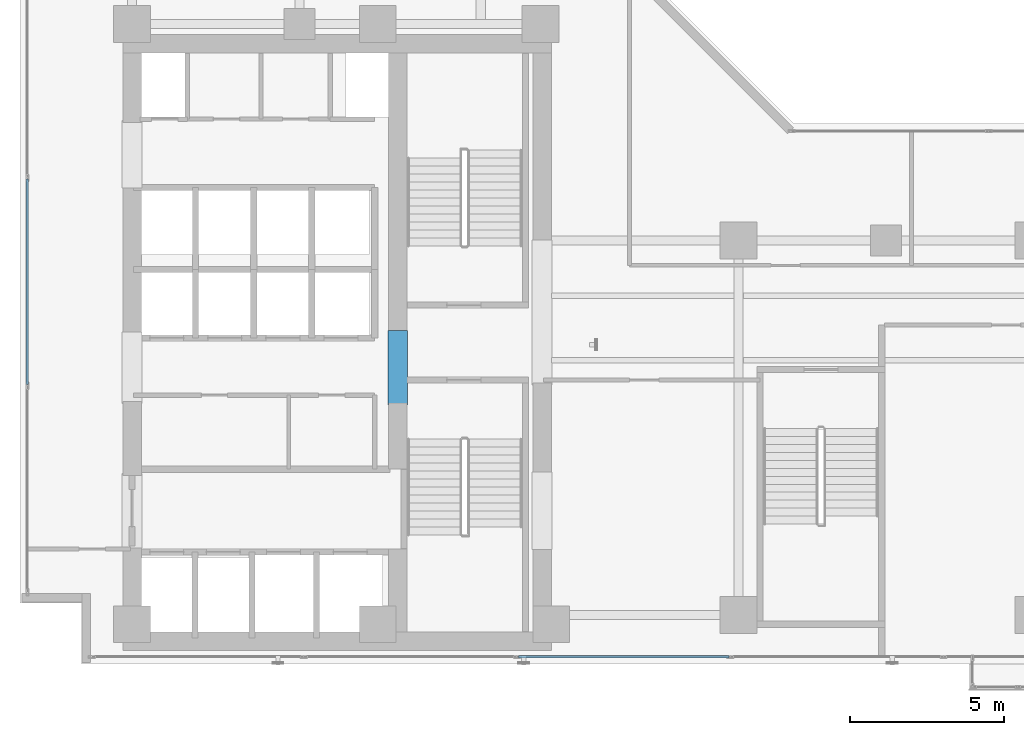
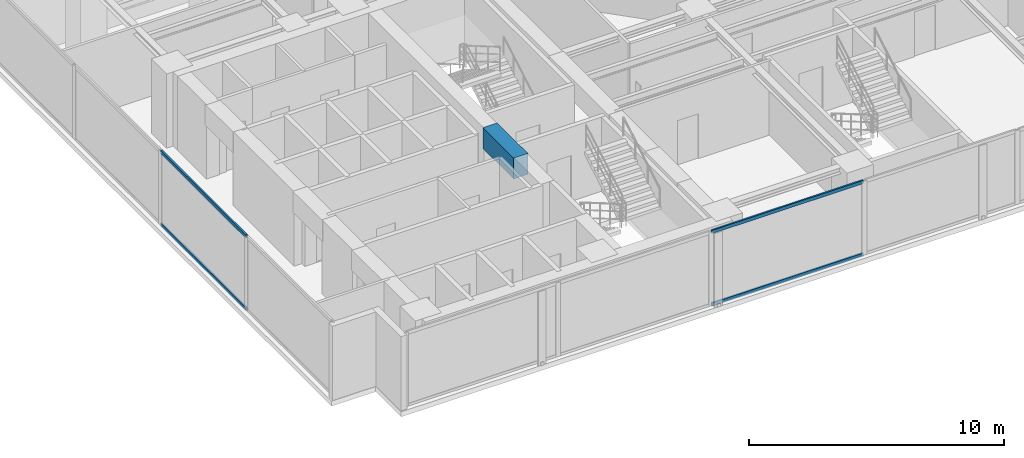
# One storey, part 3 of 27: 4 members, 1 beam, 2 elements without a shape of their own.
"""IFC4 building model written with IfcOpenShell, lengths in metres."""

from ifc_helpers import new_model, si_unit, direction, frame, origin, origin_with_axes, origin_2d, place, context, subcontext, project, spatial, rectangle, hollow_rectangle, extrude, source, transform, mapped, material, layer, layer_set, material_profile, profile_set, type_object, element, aggregate, save


model = new_model("IFC4")

# Units and contexts
model_context = context("Model", 3, precision=1e-05, world=origin(), true_north=direction((0.0, 1.0)))
body_context = subcontext(model_context, "Body", "Model", "MODEL_VIEW")
ifc_project = project(units=[si_unit("LENGTHUNIT", "METRE"), si_unit("AREAUNIT", "SQUARE_METRE"), si_unit("VOLUMEUNIT", "CUBIC_METRE"), si_unit("PLANEANGLEUNIT", "RADIAN"), si_unit("MASSUNIT", "GRAM", prefix="KILO")], contexts=[model_context])

# Site, building, storey
site_placement = place(None, origin())
site = spatial("IfcSite", under=ifc_project, at=site_placement, CompositionType="ELEMENT")
building_placement = place(site_placement, origin())
building = spatial("IfcBuilding", under=site, at=building_placement, Name="Kolvaren Waterfront Exchange", CompositionType="ELEMENT")
storey_placement = place(building_placement, frame((0.0, 0.0, 191.800048828125)))
storey = spatial("IfcBuildingStorey", under=building, at=storey_placement, Name="L49", CompositionType="ELEMENT", Elevation=191.800048828125)

# Beam
ifc_material_1 = material(Name="Concrete C60/75", Category="concrete")
ifc_material_profile_1 = material_profile(ifc_material_1, rectangle(XDim=0.64990234375, YDim=1.0, at=origin_2d()), Name="RC-CB-1000x650")
ifc_profile_set_1 = profile_set([ifc_material_profile_1], Name="Concrete C60/75")
beam_type = type_object("IfcBeamType", Name="STR-CB-1000", PredefinedType="SPANDREL", material=ifc_profile_set_1)
beam_placement = place(storey_placement, frame((16.10009765625, 12.0400390625, 3.06005859375), z_axis=(0.0, 1.0, 0.0), x_axis=(-1.0, 0.0, 0.0)))
element("IfcBeam", 1, at=beam_placement, inside=storey, type_object=beam_type, Name="L49 core coupling beam 6", PredefinedType="SPANDREL", context=body_context, shape_type="SweptSolid", body=[
    extrude(rectangle(XDim=0.64990234375, YDim=1.0, at=origin_2d()), origin(), (0.0, 0.0, 1.0), 2.419921875),
])

# Curtain wall, members
ifc_material_2 = material(Name="Anodised bronze aluminium 6063-T6", Category="aluminium")
ifc_layer_1 = layer(ifc_material_2, 0.219970703125, Name="Anodised bronze aluminium 6063-T6")
ifc_layer_set_1 = layer_set([ifc_layer_1], Name="Anodised bronze aluminium 6063-T6")
curtain_wall_type_1 = type_object("IfcCurtainWallType", Name="ARC-CW-SYS1", PredefinedType="USERDEFINED", material=ifc_layer_set_1)
curtain_wall_1_placement = place(storey_placement, origin())
curtain_wall_1 = element("IfcCurtainWall", 2, at=curtain_wall_1_placement, inside=storey, type_object=curtain_wall_type_1, Name="L49 stick curtain wall CW1 (CW-L49-S)", ObjectType="STICK CURTAIN WALL", PredefinedType="USERDEFINED")
ifc_material_3 = material(Name="Anodised aluminium 6063-T6", Category="aluminium")
ifc_material_profile_2 = material_profile(ifc_material_3, hollow_rectangle(XDim=0.074951171875, YDim=0.159912109375, WallThickness=0.00439453125, at=origin_2d()), Name="ALU-TRN-160x75x4.5")
ifc_profile_set_2 = profile_set([ifc_material_profile_2], Name="Anodised aluminium 6063-T6")
member_type = type_object("IfcMemberType", Name="ARC-CWT-160", PredefinedType="USERDEFINED", material=ifc_profile_set_2)
shared_shape_1 = source(origin_with_axes(), body_context, "Body", "SweptSolid", [
    extrude(hollow_rectangle(XDim=0.074951171875, YDim=0.159912109375, WallThickness=0.00439453125, at=origin_2d()), origin(), (0.0, 0.0, 1.0), 6.863037109375),
])
member_1_placement = place(storey_placement, frame((20.025634765625, 3.840087890625, 0.037353515625), z_axis=(1.0, 0.0, 0.0), x_axis=(0.0, 1.0, 0.0)))
member_1 = element("IfcMember", 3, at=member_1_placement, type_object=member_type, Name="CW1 transom 3.1", ObjectType="TRANSOM", PredefinedType="USERDEFINED", context=body_context, shape_type="MappedRepresentation", body=[
    mapped(shared_shape_1, transform((0.0, 0.0, 0.0), x_axis=(1.0, 0.0, 0.0), y_axis=(0.0, 1.0, 0.0), z_axis=(0.0, 0.0, 1.0), scale=1.0)),
])
member_2_placement = place(storey_placement, frame((20.025634765625, 3.840087890625, 3.5224609375), z_axis=(1.0, 0.0, 0.0), x_axis=(0.0, 1.0, 0.0)))
member_2 = element("IfcMember", 4, at=member_2_placement, type_object=member_type, Name="CW1 transom 3.2", ObjectType="TRANSOM", PredefinedType="USERDEFINED", context=body_context, shape_type="MappedRepresentation", body=[
    mapped(shared_shape_1, transform((0.0, 0.0, 0.0), x_axis=(1.0, 0.0, 0.0), y_axis=(0.0, 1.0, 0.0), z_axis=(0.0, 0.0, 1.0), scale=1.0)),
])
aggregate(curtain_wall_1, [member_1, member_2])

ifc_layer_2 = layer(ifc_material_3, 0.219970703125, Name="Anodised aluminium 6063-T6")
ifc_layer_set_2 = layer_set([ifc_layer_2], Name="Anodised aluminium 6063-T6")
curtain_wall_type_2 = type_object("IfcCurtainWallType", Name="ARC-CW-SYS2", PredefinedType="USERDEFINED", material=ifc_layer_set_2)
curtain_wall_2_placement = place(storey_placement, origin())
curtain_wall_2 = element("IfcCurtainWall", 5, at=curtain_wall_2_placement, inside=storey, type_object=curtain_wall_type_2, Name="L49 stick curtain wall CW2 (CW-L49-W)", ObjectType="STICK CURTAIN WALL", PredefinedType="USERDEFINED")
shared_shape_2 = source(origin_with_axes(), body_context, "Body", "SweptSolid", [
    extrude(hollow_rectangle(XDim=0.074951171875, YDim=0.159912109375, WallThickness=0.00439453125, at=origin_2d()), origin(), (0.0, 0.0, 1.0), 6.6865234375),
])
member_3_placement = place(storey_placement, frame((4.0400390625, 12.706787109375, 0.037353515625), z_axis=(0.0, 1.0, 0.0), x_axis=(-1.0, 0.0, 0.0)))
member_3 = element("IfcMember", 6, at=member_3_placement, type_object=member_type, Name="CW2 transom 2.1", ObjectType="TRANSOM", PredefinedType="USERDEFINED", context=body_context, shape_type="MappedRepresentation", body=[
    mapped(shared_shape_2, transform((0.0, 0.0, 0.0), x_axis=(1.0, 0.0, 0.0), y_axis=(0.0, 1.0, 0.0), z_axis=(0.0, 0.0, 1.0), scale=1.0)),
])
member_4_placement = place(storey_placement, frame((4.0400390625, 12.706787109375, 3.5224609375), z_axis=(0.0, 1.0, 0.0), x_axis=(-1.0, 0.0, 0.0)))
member_4 = element("IfcMember", 7, at=member_4_placement, type_object=member_type, Name="CW2 transom 2.2", ObjectType="TRANSOM", PredefinedType="USERDEFINED", context=body_context, shape_type="MappedRepresentation", body=[
    mapped(shared_shape_2, transform((0.0, 0.0, 0.0), x_axis=(1.0, 0.0, 0.0), y_axis=(0.0, 1.0, 0.0), z_axis=(0.0, 0.0, 1.0), scale=1.0)),
])
aggregate(curtain_wall_2, [member_3, member_4])

save(model, "model.ifc")
